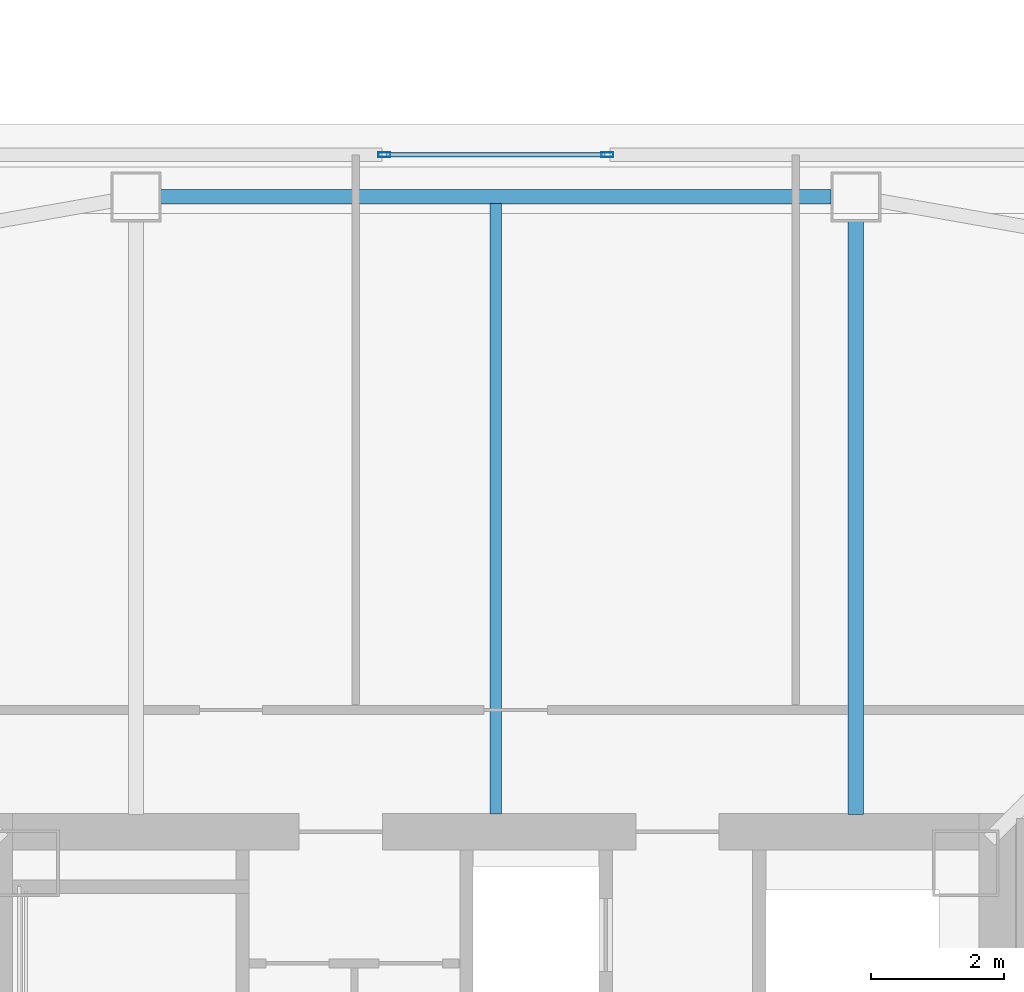
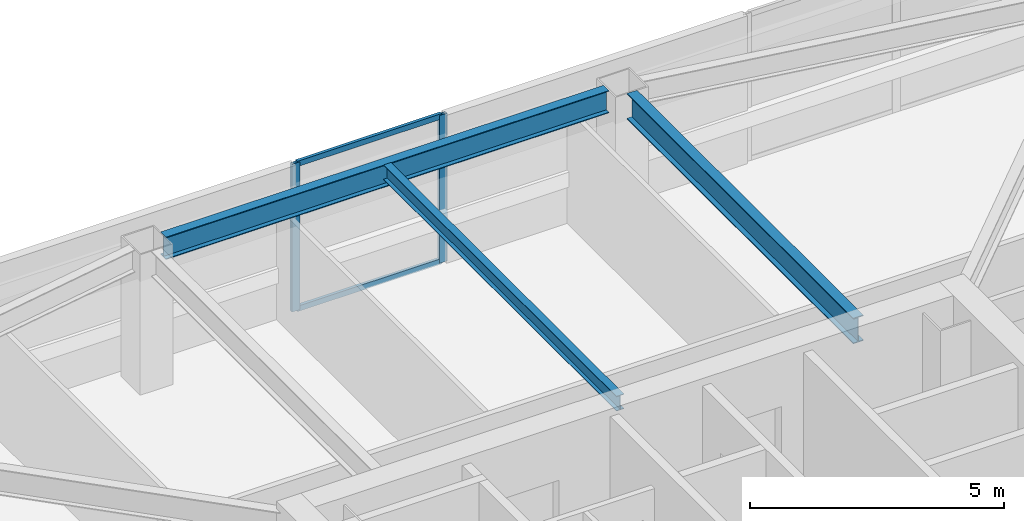
# One storey, part 15 of 44: 4 members, 3 beams, 1 element without a shape of its own.
"""IFC4 building model written with IfcOpenShell, lengths in metres."""

from ifc_helpers import new_model, si_unit, direction, frame, origin, origin_2d, place, context, subcontext, project, spatial, hollow_rectangle, i_section, extrude, material, material_profile, profile_set, type_object, element, aggregate, save


model = new_model("IFC4")

# Units and contexts
model_context = context("Model", 3, precision=1e-05, world=origin(), true_north=direction((0.0, 1.0)))
body_context = subcontext(model_context, "Body", "Model", "MODEL_VIEW")
ifc_project = project(units=[si_unit("LENGTHUNIT", "METRE"), si_unit("AREAUNIT", "SQUARE_METRE"), si_unit("VOLUMEUNIT", "CUBIC_METRE"), si_unit("PLANEANGLEUNIT", "RADIAN"), si_unit("MASSUNIT", "GRAM", prefix="KILO")], contexts=[model_context])

# Site, building, storey
site_placement = place(None, origin())
site = spatial("IfcSite", under=ifc_project, at=site_placement, CompositionType="ELEMENT")
building_placement = place(site_placement, origin())
building = spatial("IfcBuilding", under=site, at=building_placement, Name="Tashvorn Skyway Center", CompositionType="ELEMENT")
storey_placement = place(building_placement, frame((0.0, 0.0, 181.85009765625)))
storey = spatial("IfcBuildingStorey", under=building, at=storey_placement, Name="L49", CompositionType="ELEMENT", Elevation=181.85009765625)

# Beams
ifc_material_1 = material(Name="Steel ASTM A992 Grade 50", Category="steel")
ifc_material_profile_1 = material_profile(ifc_material_1, i_section(OverallWidth=0.22998046875, OverallDepth=0.616943359375, WebThickness=0.01318359375, FlangeThickness=0.022216796875, at=origin_2d()), Name="W24X94")
ifc_profile_set_1 = profile_set([ifc_material_profile_1], Name="Steel ASTM A992 Grade 50")
beam_type_1 = type_object("IfcBeamType", Name="BM-BEAM-W24X94", PredefinedType="BEAM", material=ifc_profile_set_1)
beam_1_placement = place(storey_placement, frame((47.39990234375, 48.679931640625, 3.0615234375), z_axis=(0.0, -1.0, 0.0), x_axis=(1.0, 0.0, 0.0)))
element("IfcBeam", 1, at=beam_1_placement, inside=storey, type_object=beam_type_1, Name="Tower 1 L49 Primary Floor Girder FC-N1", PredefinedType="BEAM", context=body_context, shape_type="SweptSolid", body=[
    extrude(i_section(OverallWidth=0.22998046875, OverallDepth=0.616943359375, WebThickness=0.01318359375, FlangeThickness=0.022216796875, at=origin_2d()), origin(), (0.0, 0.0, 1.0), 8.89990234375),
])
ifc_material_profile_2 = material_profile(ifc_material_1, i_section(OverallWidth=0.1708984375, OverallDepth=0.35498046875, WebThickness=0.007080078125, FlangeThickness=0.01171875, at=origin_2d()), Name="W14X34")
ifc_profile_set_2 = profile_set([ifc_material_profile_2], Name="Steel ASTM A992 Grade 50")
beam_type_2 = type_object("IfcBeamType", Name="BM-JOIST-W14X34", PredefinedType="JOIST", material=ifc_profile_set_2)
beam_2_placement = place(storey_placement, frame((42.0, 39.7900390625, 3.1923828125), z_axis=(0.0, 1.0, 0.0), x_axis=(-1.0, 0.0, 0.0)))
element("IfcBeam", 2, at=beam_2_placement, inside=storey, type_object=beam_type_2, Name="Tower 1 L49 Secondary Composite Joist JN", PredefinedType="JOIST", context=body_context, shape_type="SweptSolid", body=[
    extrude(i_section(OverallWidth=0.1708984375, OverallDepth=0.35498046875, WebThickness=0.007080078125, FlangeThickness=0.01171875, at=origin_2d()), origin(), (0.0, 0.0, 1.0), 9.162353515625),
])
ifc_material_profile_3 = material_profile(ifc_material_1, i_section(OverallWidth=0.2109375, OverallDepth=0.5390625, WebThickness=0.01171875, FlangeThickness=0.018798828125, at=origin_2d()), Name="W21X73")
ifc_profile_set_3 = profile_set([ifc_material_profile_3], Name="Steel ASTM A992 Grade 50")
beam_type_3 = type_object("IfcBeamType", Name="BM-SPANDREL-W21X73", PredefinedType="SPANDREL", material=ifc_profile_set_3)
beam_3_placement = place(storey_placement, frame((47.030029296875, 49.050048828125, 3.100341796875), z_axis=(-1.0, 0.0, 0.0), x_axis=(0.0, -1.0, 0.0)))
element("IfcBeam", 3, at=beam_3_placement, inside=storey, type_object=beam_type_3, Name="Tower 1 L49 Spandrel Beam 08", PredefinedType="SPANDREL", context=body_context, shape_type="SweptSolid", body=[
    extrude(i_section(OverallWidth=0.2109375, OverallDepth=0.5390625, WebThickness=0.01171875, FlangeThickness=0.018798828125, at=origin_2d()), origin(), (0.0, 0.0, 1.0), 10.06005859375),
])

# Curtain wall, members
ifc_material_2 = material(Name="Thermally broken bronze-anodized aluminium 6063-T6", Category="aluminium")
curtain_wall_type = type_object("IfcCurtainWallType", Name="CW-CW-Z4", PredefinedType="NOTDEFINED", material=ifc_material_2)
curtain_wall_placement = place(storey_placement, origin())
curtain_wall = element("IfcCurtainWall", 4, at=curtain_wall_placement, inside=storey, type_object=curtain_wall_type, Name="Tower 1 L49 North Unitised Curtain Wall Glazing Group 2", PredefinedType="NOTDEFINED")
ifc_material_profile_4 = material_profile(ifc_material_2, hollow_rectangle(XDim=0.070068359375, YDim=0.179931640625, WallThickness=0.00390625, at=origin_2d()), Name="ALU-MULL-70x180")
ifc_profile_set_4 = profile_set([ifc_material_profile_4], Name="Thermally broken bronze-anodized aluminium 6063-T6")
member_type_1 = type_object("IfcMemberType", Name="CWM-CW-Z4", PredefinedType="MULLION", material=ifc_profile_set_4)
member_1_placement = place(storey_placement, frame((40.326171875, 49.679931640625, 0.0), z_axis=(0.0, 0.0, 1.0), x_axis=(0.0, 1.0, 0.0)))
member_1 = element("IfcMember", 5, at=member_1_placement, type_object=member_type_1, Name="CW-Z4 mullion 1", PredefinedType="MULLION", context=body_context, shape_type="SweptSolid", body=[
    extrude(hollow_rectangle(XDim=0.070068359375, YDim=0.179931640625, WallThickness=0.00390625, at=origin_2d()), origin(), (0.0, 0.0, 1.0), 3.5498046875),
])
member_2_placement = place(storey_placement, frame((43.673828125, 49.679931640625, 0.0), z_axis=(0.0, 0.0, 1.0), x_axis=(0.0, 1.0, 0.0)))
member_2 = element("IfcMember", 6, at=member_2_placement, type_object=member_type_1, Name="CW-Z4 mullion 2", PredefinedType="MULLION", context=body_context, shape_type="SweptSolid", body=[
    extrude(hollow_rectangle(XDim=0.070068359375, YDim=0.179931640625, WallThickness=0.00390625, at=origin_2d()), origin(), (0.0, 0.0, 1.0), 3.5498046875),
])
ifc_material_profile_5 = material_profile(ifc_material_2, hollow_rectangle(XDim=0.070068359375, YDim=0.1298828125, WallThickness=0.00390625, at=origin_2d()), Name="ALU-TRAN-70x130")
ifc_profile_set_5 = profile_set([ifc_material_profile_5], Name="Thermally broken bronze-anodized aluminium 6063-T6")
member_type_2 = type_object("IfcMemberType", Name="CWT-CW-Z4", PredefinedType="USERDEFINED", material=ifc_profile_set_5)
member_3_placement = place(storey_placement, frame((40.361083984375, 49.679931640625, 0.034912109375), z_axis=(1.0, 0.0, 0.0), x_axis=(0.0, 1.0, 0.0)))
member_3 = element("IfcMember", 7, at=member_3_placement, type_object=member_type_2, Name="CW-Z4 transom 1.1", ObjectType="TRANSOM", PredefinedType="USERDEFINED", context=body_context, shape_type="SweptSolid", body=[
    extrude(hollow_rectangle(XDim=0.070068359375, YDim=0.1298828125, WallThickness=0.00390625, at=origin_2d()), origin(), (0.0, 0.0, 1.0), 3.27783203125),
])
member_4_placement = place(storey_placement, frame((40.361083984375, 49.679931640625, 3.514892578125), z_axis=(1.0, 0.0, 0.0), x_axis=(0.0, 1.0, 0.0)))
member_4 = element("IfcMember", 8, at=member_4_placement, type_object=member_type_2, Name="CW-Z4 transom 1.2", ObjectType="TRANSOM", PredefinedType="USERDEFINED", context=body_context, shape_type="SweptSolid", body=[
    extrude(hollow_rectangle(XDim=0.070068359375, YDim=0.1298828125, WallThickness=0.00390625, at=origin_2d()), origin(), (0.0, 0.0, 1.0), 3.27783203125),
])
aggregate(curtain_wall, [member_1, member_2, member_3, member_4])

save(model, "model.ifc")
